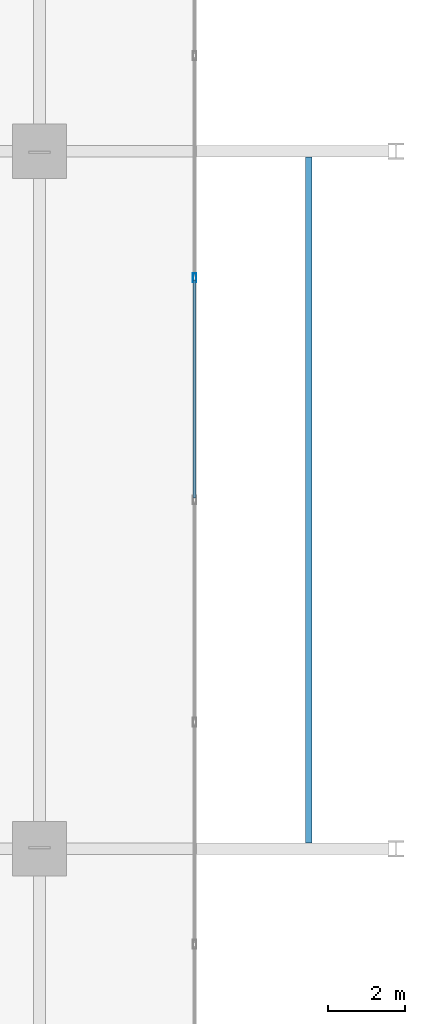
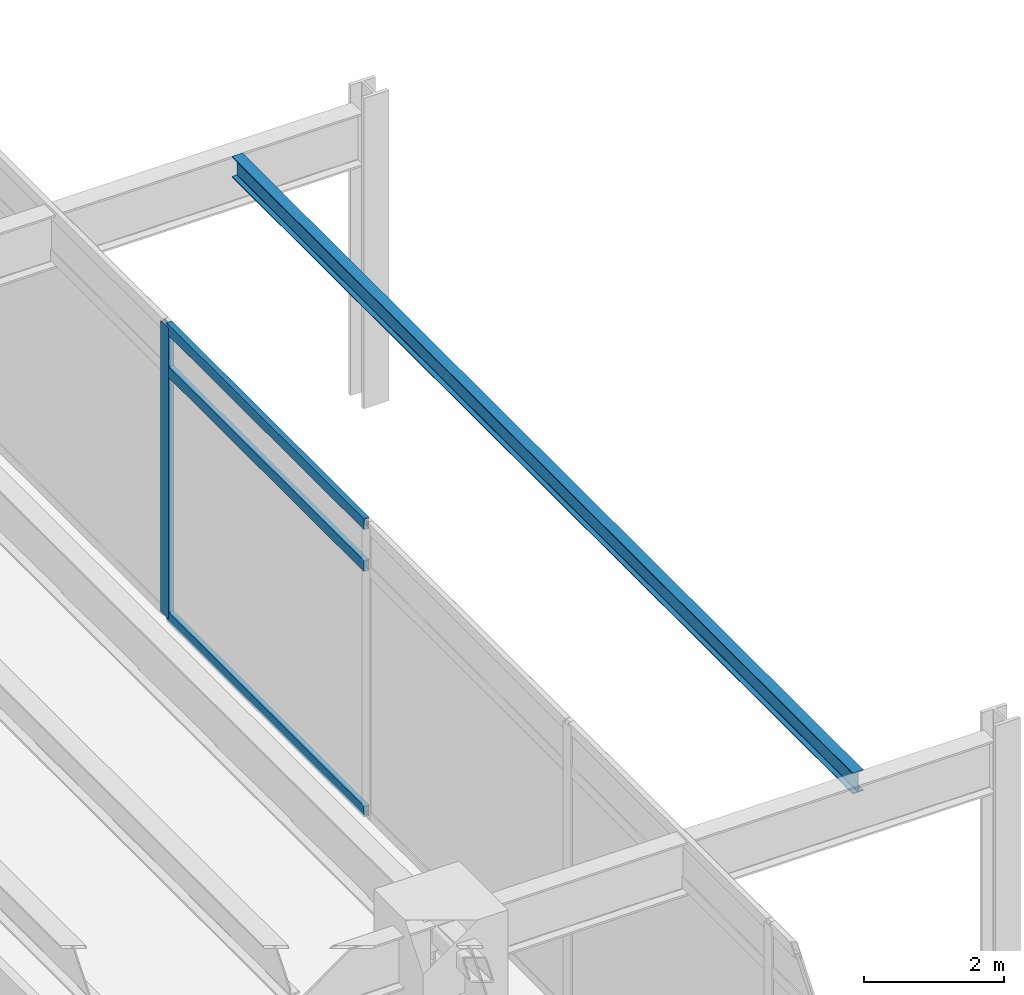
# One storey, part 12 of 24: 4 members, 1 beam, 1 element without a shape of its own.
"""IFC4 building model written with IfcOpenShell, lengths in metres."""

from ifc_helpers import new_model, si_unit, direction, frame, origin, origin_2d, place, context, subcontext, project, spatial, hollow_rectangle, i_section, extrude, material, material_profile, profile_set, type_object, element, aggregate, save


model = new_model("IFC4")

# Units and contexts
model_context = context("Model", 3, precision=1e-05, world=origin(), true_north=direction((0.0, 1.0)))
body_context = subcontext(model_context, "Body", "Model", "MODEL_VIEW")
ifc_project = project(units=[si_unit("LENGTHUNIT", "METRE"), si_unit("AREAUNIT", "SQUARE_METRE"), si_unit("VOLUMEUNIT", "CUBIC_METRE"), si_unit("PLANEANGLEUNIT", "RADIAN"), si_unit("MASSUNIT", "GRAM", prefix="KILO")], contexts=[model_context])

# Site, building, storey
site_placement = place(None, origin())
site = spatial("IfcSite", under=ifc_project, at=site_placement, CompositionType="ELEMENT")
building_placement = place(site_placement, origin())
building = spatial("IfcBuilding", under=site, at=building_placement, Name="Kovane Verandah Tower", CompositionType="ELEMENT")
storey_placement = place(building_placement, frame((0.0, 0.0, 194.800048828125)))
storey = spatial("IfcBuildingStorey", under=building, at=storey_placement, Name="L45", CompositionType="ELEMENT", Elevation=194.800048828125)

# Curtain wall, members
ifc_material_1 = material(Name="Champagne Anodised Aluminium Frame with Low-E Clear Laminated Glass", Category="aluminium")
curtain_wall_type = type_object("IfcCurtainWallType", Name="CW-SYS-04-WAIST", PredefinedType="NOTDEFINED", material=ifc_material_1)
curtain_wall_placement = place(storey_placement, origin())
curtain_wall = element("IfcCurtainWall", 1, at=curtain_wall_placement, inside=storey, type_object=curtain_wall_type, Name="L45 E Unitised Curtain Wall", PredefinedType="NOTDEFINED")
ifc_material_2 = material(Name="Champagne Anodised Aluminium 6063-T6", Category="aluminium")
ifc_material_profile_1 = material_profile(ifc_material_2, hollow_rectangle(XDim=0.0849609375, YDim=0.22998046875, WallThickness=0.00390625, at=origin_2d()), Name="AL85x230x4")
ifc_profile_set_1 = profile_set([ifc_material_profile_1], Name="Champagne Anodised Aluminium 6063-T6")
member_type_1 = type_object("IfcMemberType", Name="CW-MUL-85x230", PredefinedType="MULLION", material=ifc_profile_set_1)
member_1_placement = place(storey_placement, frame((62.39990234375, 33.2333984375, 0.02001953125), z_axis=(0.0, 0.0, 1.0), x_axis=(1.0, 0.0, 0.0)))
member_1 = element("IfcMember", 2, at=member_1_placement, type_object=member_type_1, Name="L45 E Unitised Curtain Wall Mullion 5", PredefinedType="MULLION", context=body_context, shape_type="SweptSolid", body=[
    extrude(hollow_rectangle(XDim=0.0849609375, YDim=0.22998046875, WallThickness=0.00390625, at=origin_2d()), origin(), (0.0, 0.0, 1.0), 5.059814453125),
])
ifc_material_profile_2 = material_profile(ifc_material_2, hollow_rectangle(XDim=0.0849609375, YDim=0.18994140625, WallThickness=0.00390625, at=origin_2d()), Name="AL85x190x4")
ifc_profile_set_2 = profile_set([ifc_material_profile_2], Name="Champagne Anodised Aluminium 6063-T6")
member_type_2 = type_object("IfcMemberType", Name="CW-TRN-85x190", PredefinedType="USERDEFINED", material=ifc_profile_set_2)
member_2_placement = place(storey_placement, frame((62.39990234375, 27.550048828125, 0.050048828125), z_axis=(0.0, 1.0, 0.0), x_axis=(-1.0, 0.0, 0.0)))
member_2 = element("IfcMember", 3, at=member_2_placement, type_object=member_type_2, Name="L45 E Unitised Curtain Wall Transom TB Bay 4", ObjectType="TRANSOM", PredefinedType="USERDEFINED", context=body_context, shape_type="SweptSolid", body=[
    extrude(hollow_rectangle(XDim=0.0849609375, YDim=0.18994140625, WallThickness=0.00390625, at=origin_2d()), origin(), (0.0, 0.0, 1.0), 5.63330078125),
])
member_3_placement = place(storey_placement, frame((62.39990234375, 27.550048828125, 4.320068359375), z_axis=(0.0, 1.0, 0.0), x_axis=(-1.0, 0.0, 0.0)))
member_3 = element("IfcMember", 4, at=member_3_placement, type_object=member_type_2, Name="L45 E Unitised Curtain Wall Transom TM Bay 4", ObjectType="TRANSOM", PredefinedType="USERDEFINED", context=body_context, shape_type="SweptSolid", body=[
    extrude(hollow_rectangle(XDim=0.0849609375, YDim=0.18994140625, WallThickness=0.00390625, at=origin_2d()), origin(), (0.0, 0.0, 1.0), 5.63330078125),
])
member_4_placement = place(storey_placement, frame((62.39990234375, 27.550048828125, 5.050048828125), z_axis=(0.0, 1.0, 0.0), x_axis=(-1.0, 0.0, 0.0)))
member_4 = element("IfcMember", 5, at=member_4_placement, type_object=member_type_2, Name="L45 E Unitised Curtain Wall Transom TT Bay 4", ObjectType="TRANSOM", PredefinedType="USERDEFINED", context=body_context, shape_type="SweptSolid", body=[
    extrude(hollow_rectangle(XDim=0.0849609375, YDim=0.18994140625, WallThickness=0.00390625, at=origin_2d()), origin(), (0.0, 0.0, 1.0), 5.63330078125),
])
aggregate(curtain_wall, [member_1, member_2, member_3, member_4])

# Beam
ifc_material_3 = material(Name="Steel S355", Category="steel")
ifc_material_profile_3 = material_profile(ifc_material_3, i_section(OverallWidth=0.173095703125, OverallDepth=0.36328125, WebThickness=0.009033203125, FlangeThickness=0.015625, FilletRadius=0.01025390625, at=origin_2d()), Name="UB356x171x67")
ifc_profile_set_3 = profile_set([ifc_material_profile_3], Name="Steel S355")
beam_type = type_object("IfcBeamType", Name="SPD-UB356x67", PredefinedType="USERDEFINED", material=ifc_profile_set_3)
beam_placement = place(storey_placement, frame((65.35009765625, 18.65185546875, 4.918212890625), z_axis=(0.0, 1.0, 0.0), x_axis=(-1.0, 0.0, 0.0)))
element("IfcBeam", 6, at=beam_placement, inside=storey, type_object=beam_type, Name="L45 East Planter Edge Spandrel", ObjectType="SPANDREL", PredefinedType="USERDEFINED", context=body_context, shape_type="SweptSolid", body=[
    extrude(i_section(OverallWidth=0.173095703125, OverallDepth=0.36328125, WebThickness=0.009033203125, FlangeThickness=0.015625, FilletRadius=0.01025390625, at=origin_2d()), origin(), (0.0, 0.0, 1.0), 17.6962890625),
])

save(model, "model.ifc")
